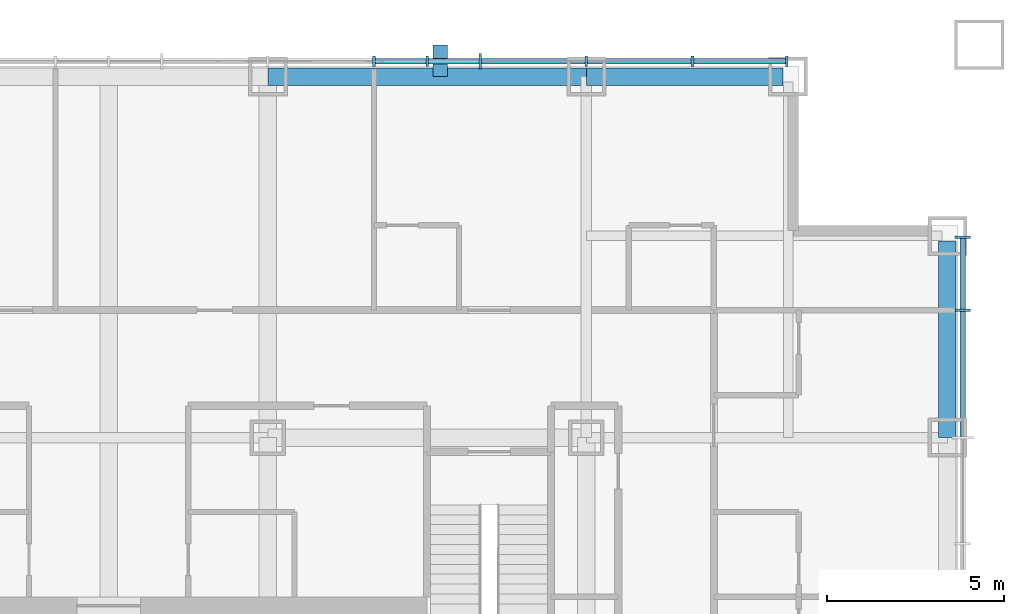
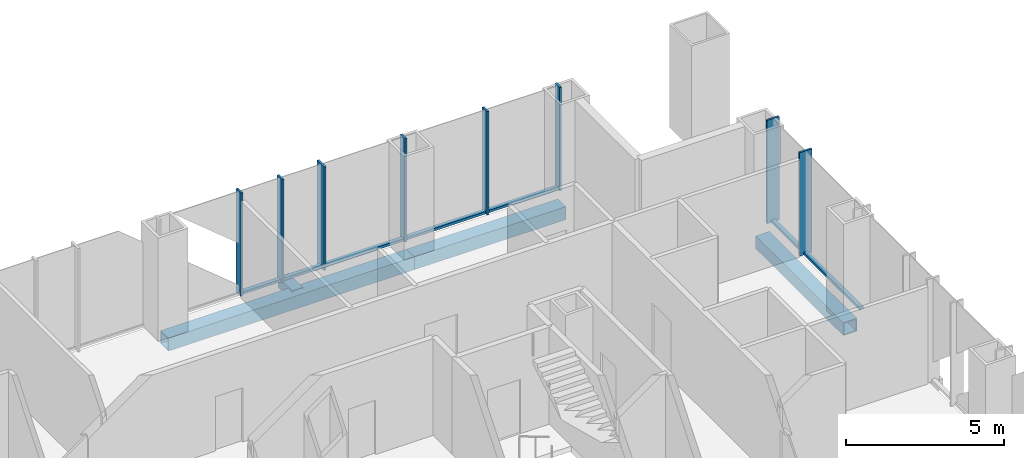
# One storey, part 6 of 18: 16 members, 3 beams, 2 elements without a shape of their own.
"""IFC4 building model written with IfcOpenShell, lengths in metres."""

from ifc_helpers import new_model, si_unit, direction, frame, origin, origin_2d, place, context, subcontext, project, spatial, rectangle, hollow_rectangle, extrude, material, layer, layer_set, material_profile, profile_set, type_object, element, aggregate, save


model = new_model("IFC4")

# Units and contexts
model_context = context("Model", 3, precision=1e-05, world=origin(), true_north=direction((0.0, 1.0)))
body_context = subcontext(model_context, "Body", "Model", "MODEL_VIEW")
ifc_project = project(units=[si_unit("LENGTHUNIT", "METRE"), si_unit("AREAUNIT", "SQUARE_METRE"), si_unit("VOLUMEUNIT", "CUBIC_METRE"), si_unit("PLANEANGLEUNIT", "RADIAN"), si_unit("MASSUNIT", "GRAM", prefix="KILO")], contexts=[model_context])

# Site, building, storey
site_placement = place(None, origin())
site = spatial("IfcSite", under=ifc_project, at=site_placement, CompositionType="ELEMENT")
building_placement = place(site_placement, origin())
building = spatial("IfcBuilding", under=site, at=building_placement, Name="Malebo Sky Hospital", CompositionType="ELEMENT")
storey_placement = place(building_placement, frame((0.0, 0.0, 112.0)))
storey = spatial("IfcBuildingStorey", under=building, at=storey_placement, Name="L26", CompositionType="ELEMENT", Elevation=112.0)

# Curtain wall, members
ifc_material_1 = material(Name="Anodised aluminium, natural silver", Category="aluminium")
ifc_layer_1 = layer(ifc_material_1, 0.25)
ifc_layer_set_1 = layer_set([ifc_layer_1], Name="WARD CURTAIN WALL NORTH AND SOUTH")
curtain_wall_type_1 = type_object("IfcCurtainWallType", Name="WARD CURTAIN WALL NORTH AND SOUTH", PredefinedType="NOTDEFINED", material=ifc_layer_set_1)
curtain_wall_1_placement = place(storey_placement, origin())
curtain_wall_1 = element("IfcCurtainWall", 1, at=curtain_wall_1_placement, inside=storey, type_object=curtain_wall_type_1, Name="NS curtain wall N", PredefinedType="NOTDEFINED")
ifc_material_profile_1 = material_profile(ifc_material_1, rectangle(XDim=0.14990234375, YDim=0.10009765625, at=origin_2d()), Name="ALUMINIUM TRANSOM 150x100")
ifc_profile_set_1 = profile_set([ifc_material_profile_1], Name="Anodised aluminium, natural silver")
member_type_1 = type_object("IfcMemberType", Name="ALUMINIUM TRANSOM 150x100", PredefinedType="USERDEFINED", material=ifc_profile_set_1)
member_1_placement = place(storey_placement, frame((67.53759765625, 86.135009765625, 0.050048828125), z_axis=(1.0, 0.0, 0.0), x_axis=(0.0, 1.0, 0.0)))
member_1 = element("IfcMember", 2, at=member_1_placement, type_object=member_type_1, Name="Transom 13", ObjectType="TRANSOM", PredefinedType="USERDEFINED", context=body_context, shape_type="SweptSolid", body=[
    extrude(rectangle(XDim=0.14990234375, YDim=0.10009765625, at=origin_2d()), origin(), (0.0, 0.0, 1.0), 1.4248046875),
])
member_2_placement = place(storey_placement, frame((69.03759765625, 86.135009765625, 0.050048828125), z_axis=(1.0, 0.0, 0.0), x_axis=(0.0, 1.0, 0.0)))
member_2 = element("IfcMember", 3, at=member_2_placement, type_object=member_type_1, Name="Transom 14", ObjectType="TRANSOM", PredefinedType="USERDEFINED", context=body_context, shape_type="SweptSolid", body=[
    extrude(rectangle(XDim=0.14990234375, YDim=0.10009765625, at=origin_2d()), origin(), (0.0, 0.0, 1.0), 1.4248046875),
])
member_3_placement = place(storey_placement, frame((70.53759765625, 86.135009765625, 0.050048828125), z_axis=(1.0, 0.0, 0.0), x_axis=(0.0, 1.0, 0.0)))
member_3 = element("IfcMember", 4, at=member_3_placement, type_object=member_type_1, Name="Transom 15", ObjectType="TRANSOM", PredefinedType="USERDEFINED", context=body_context, shape_type="SweptSolid", body=[
    extrude(rectangle(XDim=0.14990234375, YDim=0.10009765625, at=origin_2d()), origin(), (0.0, 0.0, 1.0), 2.9248046875),
])
member_4_placement = place(storey_placement, frame((73.53759765625, 86.135009765625, 0.050048828125), z_axis=(1.0, 0.0, 0.0), x_axis=(0.0, 1.0, 0.0)))
member_4 = element("IfcMember", 5, at=member_4_placement, type_object=member_type_1, Name="Transom 16", ObjectType="TRANSOM", PredefinedType="USERDEFINED", context=body_context, shape_type="SweptSolid", body=[
    extrude(rectangle(XDim=0.14990234375, YDim=0.10009765625, at=origin_2d()), origin(), (0.0, 0.0, 1.0), 2.9248046875),
])
member_5_placement = place(storey_placement, frame((76.53759765625, 86.135009765625, 0.050048828125), z_axis=(1.0, 0.0, 0.0), x_axis=(0.0, 1.0, 0.0)))
member_5 = element("IfcMember", 6, at=member_5_placement, type_object=member_type_1, Name="Transom 17", ObjectType="TRANSOM", PredefinedType="USERDEFINED", context=body_context, shape_type="SweptSolid", body=[
    extrude(rectangle(XDim=0.14990234375, YDim=0.10009765625, at=origin_2d()), origin(), (0.0, 0.0, 1.0), 2.58740234375),
])

ifc_layer_2 = layer(ifc_material_1, 0.25)
ifc_layer_set_2 = layer_set([ifc_layer_2], Name="WARD CURTAIN WALL EAST AND WEST")
curtain_wall_type_2 = type_object("IfcCurtainWallType", Name="WARD CURTAIN WALL EAST AND WEST", PredefinedType="NOTDEFINED", material=ifc_layer_set_2)
curtain_wall_2_placement = place(storey_placement, origin())
curtain_wall_2 = element("IfcCurtainWall", 7, at=curtain_wall_2_placement, inside=storey, type_object=curtain_wall_type_2, Name="EW curtain wall E", PredefinedType="NOTDEFINED")
member_6_placement = place(storey_placement, frame((84.135009765625, 81.125, 0.050048828125), z_axis=(0.0, -1.0, 0.0), x_axis=(1.0, 0.0, 0.0)))
member_6 = element("IfcMember", 8, at=member_6_placement, type_object=member_type_1, Name="Transom 1", ObjectType="TRANSOM", PredefinedType="USERDEFINED", context=body_context, shape_type="SweptSolid", body=[
    extrude(rectangle(XDim=0.14990234375, YDim=0.10009765625, at=origin_2d()), origin(), (0.0, 0.0, 1.0), 1.987548828125),
])
member_7_placement = place(storey_placement, frame((84.135009765625, 79.0625, 0.050048828125), z_axis=(0.0, -1.0, 0.0), x_axis=(1.0, 0.0, 0.0)))
member_7 = element("IfcMember", 9, at=member_7_placement, type_object=member_type_1, Name="Transom 2", ObjectType="TRANSOM", PredefinedType="USERDEFINED", context=body_context, shape_type="SweptSolid", body=[
    extrude(rectangle(XDim=0.14990234375, YDim=0.10009765625, at=origin_2d()), origin(), (0.0, 0.0, 1.0), 3.52490234375),
])

# Member
ifc_material_2 = material(Name="Steel S355", Category="steel")
ifc_material_profile_2 = material_profile(ifc_material_2, hollow_rectangle(XDim=0.39990234375, YDim=0.39990234375, WallThickness=0.02001953125, at=origin_2d()), Name="SHS 400x20")
ifc_profile_set_2 = profile_set([ifc_material_profile_2], Name="Steel S355")
member_type_2 = type_object("IfcMemberType", Name="BRACE STRUT SHS 400x20", PredefinedType="STRUT", material=ifc_profile_set_2)
member_8_placement = place(storey_placement, frame((69.372802734375, 86.60009765625, -0.39990234375), z_axis=(0.0, -1.0, 0.0), x_axis=(1.0, 0.0, 0.0)))
element("IfcMember", 10, at=member_8_placement, inside=storey, type_object=member_type_2, Name="Brace strut BN1 L26", PredefinedType="STRUT", context=body_context, shape_type="SweptSolid", body=[
    extrude(hollow_rectangle(XDim=0.39990234375, YDim=0.39990234375, WallThickness=0.02001953125, at=origin_2d()), origin(), (0.0, 0.0, 1.0), 0.900146484375),
])

ifc_material_profile_3 = material_profile(ifc_material_1, rectangle(XDim=0.074951171875, YDim=0.300048828125, at=origin_2d()), Name="CW1 ALUMINIUM FIN MULLION 75x300")
ifc_profile_set_3 = profile_set([ifc_material_profile_3], Name="Anodised aluminium, natural silver")
member_type_3 = type_object("IfcMemberType", Name="CW1 ALUMINIUM FIN MULLION 75x300", PredefinedType="MULLION", material=ifc_profile_set_3)
member_9_placement = place(storey_placement, frame((67.5, 86.135009765625, 0.0), z_axis=(0.0, 0.0, 1.0), x_axis=(1.0, 0.0, 0.0)))
member_9 = element("IfcMember", 11, at=member_9_placement, type_object=member_type_3, Name="Fin mullion 13", PredefinedType="MULLION", context=body_context, shape_type="SweptSolid", body=[
    extrude(rectangle(XDim=0.074951171875, YDim=0.300048828125, at=origin_2d()), origin(), (0.0, 0.0, 1.0), 4.0),
])

member_10_placement = place(storey_placement, frame((69.0, 86.135009765625, 0.0), z_axis=(0.0, 0.0, 1.0), x_axis=(1.0, 0.0, 0.0)))
member_10 = element("IfcMember", 12, at=member_10_placement, type_object=member_type_3, Name="Fin mullion 14", PredefinedType="MULLION", context=body_context, shape_type="SweptSolid", body=[
    extrude(rectangle(XDim=0.074951171875, YDim=0.300048828125, at=origin_2d()), origin(), (0.0, 0.0, 1.0), 4.0),
])

member_11_placement = place(storey_placement, frame((73.5, 86.135009765625, 0.0), z_axis=(0.0, 0.0, 1.0), x_axis=(1.0, 0.0, 0.0)))
member_11 = element("IfcMember", 13, at=member_11_placement, type_object=member_type_3, Name="Fin mullion 16", PredefinedType="MULLION", context=body_context, shape_type="SweptSolid", body=[
    extrude(rectangle(XDim=0.074951171875, YDim=0.300048828125, at=origin_2d()), origin(), (0.0, 0.0, 1.0), 4.0),
])

member_12_placement = place(storey_placement, frame((76.5, 86.135009765625, 0.0), z_axis=(0.0, 0.0, 1.0), x_axis=(1.0, 0.0, 0.0)))
member_12 = element("IfcMember", 14, at=member_12_placement, type_object=member_type_3, Name="Fin mullion 17", PredefinedType="MULLION", context=body_context, shape_type="SweptSolid", body=[
    extrude(rectangle(XDim=0.074951171875, YDim=0.300048828125, at=origin_2d()), origin(), (0.0, 0.0, 1.0), 4.0),
])

member_13_placement = place(storey_placement, frame((79.16259765625, 86.135009765625, 0.0), z_axis=(0.0, 0.0, 1.0), x_axis=(1.0, 0.0, 0.0)))
member_13 = element("IfcMember", 15, at=member_13_placement, type_object=member_type_3, Name="Fin mullion 18", PredefinedType="MULLION", context=body_context, shape_type="SweptSolid", body=[
    extrude(rectangle(XDim=0.074951171875, YDim=0.300048828125, at=origin_2d()), origin(), (0.0, 0.0, 1.0), 4.0),
])

ifc_material_profile_4 = material_profile(ifc_material_1, rectangle(XDim=0.074951171875, YDim=0.449951171875, at=origin_2d()), Name="CW1 ALUMINIUM FIN MULLION 75x450")
ifc_profile_set_4 = profile_set([ifc_material_profile_4], Name="Anodised aluminium, natural silver")
member_type_4 = type_object("IfcMemberType", Name="CW1 ALUMINIUM FIN MULLION 75x450", PredefinedType="MULLION", material=ifc_profile_set_4)
member_14_placement = place(storey_placement, frame((70.5, 86.135009765625, 0.0), z_axis=(0.0, 0.0, 1.0), x_axis=(1.0, 0.0, 0.0)))
member_14 = element("IfcMember", 16, at=member_14_placement, type_object=member_type_4, Name="Fin mullion 15", PredefinedType="MULLION", context=body_context, shape_type="SweptSolid", body=[
    extrude(rectangle(XDim=0.074951171875, YDim=0.449951171875, at=origin_2d()), origin(), (0.0, 0.0, 1.0), 4.0),
])

aggregate(curtain_wall_1, [member_9, member_10, member_14, member_11, member_12, member_13, member_1, member_2, member_3, member_4, member_5])

ifc_material_profile_5 = material_profile(ifc_material_1, rectangle(XDim=0.074951171875, YDim=0.449951171875, at=origin_2d()), Name="CW2 ALUMINIUM FIN MULLION 75x450")
ifc_profile_set_5 = profile_set([ifc_material_profile_5], Name="Anodised aluminium, natural silver")
member_type_5 = type_object("IfcMemberType", Name="CW2 ALUMINIUM FIN MULLION 75x450", PredefinedType="MULLION", material=ifc_profile_set_5)
member_15_placement = place(storey_placement, frame((84.135009765625, 81.16259765625, 0.0), z_axis=(0.0, 0.0, 1.0), x_axis=(0.0, -1.0, 0.0)))
member_15 = element("IfcMember", 17, at=member_15_placement, type_object=member_type_5, Name="Fin mullion 1", PredefinedType="MULLION", context=body_context, shape_type="SweptSolid", body=[
    extrude(rectangle(XDim=0.074951171875, YDim=0.449951171875, at=origin_2d()), origin(), (0.0, 0.0, 1.0), 4.0),
])

member_16_placement = place(storey_placement, frame((84.135009765625, 79.10009765625, 0.0), z_axis=(0.0, 0.0, 1.0), x_axis=(0.0, -1.0, 0.0)))
member_16 = element("IfcMember", 18, at=member_16_placement, type_object=member_type_5, Name="Fin mullion 2", PredefinedType="MULLION", context=body_context, shape_type="SweptSolid", body=[
    extrude(rectangle(XDim=0.074951171875, YDim=0.449951171875, at=origin_2d()), origin(), (0.0, 0.0, 1.0), 4.0),
])

aggregate(curtain_wall_2, [member_15, member_16, member_6, member_7])

# Beams
ifc_material_3 = material(Name="Steel S460", Category="steel")
ifc_material_profile_6 = material_profile(ifc_material_3, hollow_rectangle(XDim=0.5, YDim=0.5, WallThickness=0.030029296875, at=origin_2d()), Name="BOX 500x500x30")
ifc_profile_set_6 = profile_set([ifc_material_profile_6], Name="Steel S460")
beam_type = type_object("IfcBeamType", Name="EDGE BEAM BOX 500x500x30", PredefinedType="BEAM", material=ifc_profile_set_6)
beam_1_placement = place(storey_placement, frame((83.699951171875, 75.5, -0.5), z_axis=(0.0, 1.0, 0.0), x_axis=(-1.0, 0.0, 0.0)))
element("IfcBeam", 19, at=beam_1_placement, inside=storey, type_object=beam_type, Name="Beam 033 L26", PredefinedType="BEAM", context=body_context, shape_type="SweptSolid", body=[
    extrude(hollow_rectangle(XDim=0.5, YDim=0.5, WallThickness=0.030029296875, at=origin_2d()), origin(), (0.0, 0.0, 1.0), 5.550048828125),
])
beam_2_placement = place(storey_placement, frame((64.5, 85.699951171875, -0.5), z_axis=(1.0, 0.0, 0.0), x_axis=(0.0, 1.0, 0.0)))
element("IfcBeam", 20, at=beam_2_placement, inside=storey, type_object=beam_type, Name="Beam 066 L26", PredefinedType="BEAM", context=body_context, shape_type="SweptSolid", body=[
    extrude(hollow_rectangle(XDim=0.5, YDim=0.5, WallThickness=0.030029296875, at=origin_2d()), origin(), (0.0, 0.0, 1.0), 9.0),
])
beam_3_placement = place(storey_placement, frame((73.5, 85.699951171875, -0.5), z_axis=(1.0, 0.0, 0.0), x_axis=(0.0, 1.0, 0.0)))
element("IfcBeam", 21, at=beam_3_placement, inside=storey, type_object=beam_type, Name="Beam 067 L26", PredefinedType="BEAM", context=body_context, shape_type="SweptSolid", body=[
    extrude(hollow_rectangle(XDim=0.5, YDim=0.5, WallThickness=0.030029296875, at=origin_2d()), origin(), (0.0, 0.0, 1.0), 5.550048828125),
])

save(model, "model.ifc")
